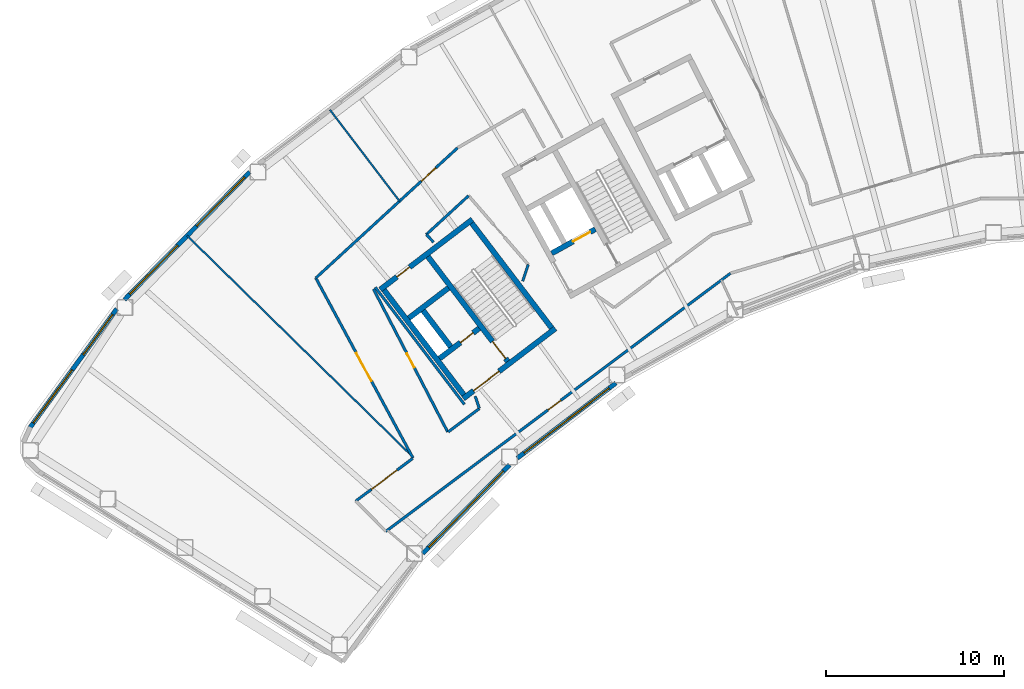
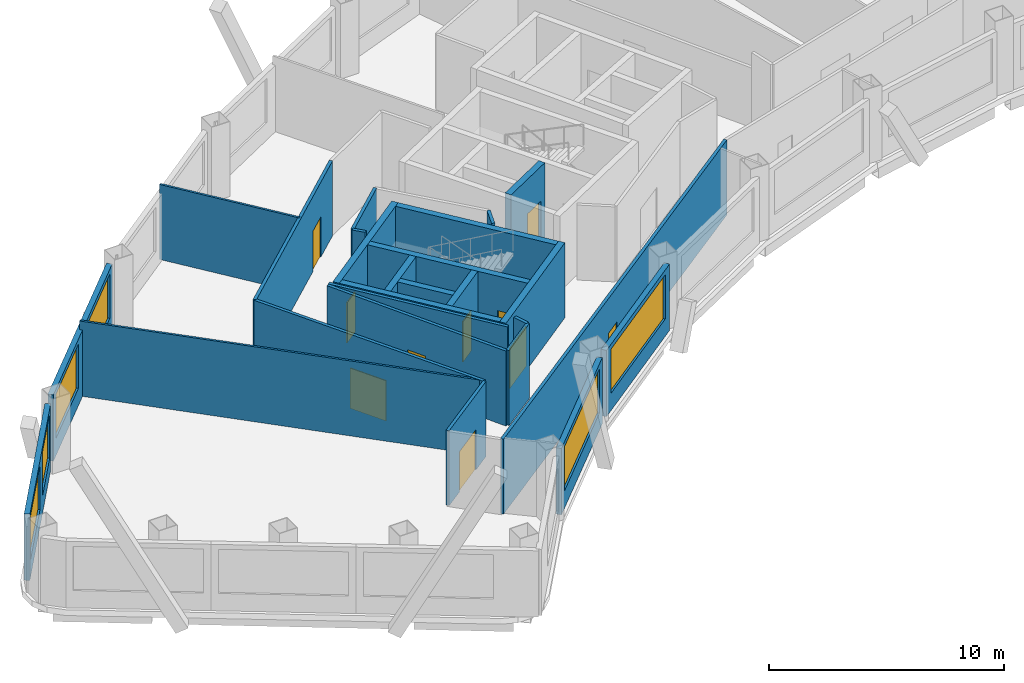
# One storey, part 5 of 13: 26 walls, 10 doors, 6 windows, 16 openings.
"""IFC4 building model written with IfcOpenShell, lengths in metres."""

from ifc_helpers import new_model, si_unit, direction, frame, frame_2d, origin, place, context, subcontext, project, spatial, rectangle, extrude, material, layer, layer_set, type_object, element, fill, save


model = new_model("IFC4")

# Units and contexts
model_context = context("Model", 3, precision=1e-05, world=origin(), true_north=direction((0.0, 1.0)))
body_context = subcontext(model_context, "Body", "Model", "MODEL_VIEW")
ifc_project = project(units=[si_unit("LENGTHUNIT", "METRE"), si_unit("AREAUNIT", "SQUARE_METRE"), si_unit("VOLUMEUNIT", "CUBIC_METRE"), si_unit("PLANEANGLEUNIT", "RADIAN"), si_unit("MASSUNIT", "GRAM", prefix="KILO")], contexts=[model_context])

# Site, building, storey
site_placement = place(None, origin())
site = spatial("IfcSite", under=ifc_project, at=site_placement, CompositionType="ELEMENT")
building_placement = place(site_placement, origin())
building = spatial("IfcBuilding", under=site, at=building_placement, Name="Tuul Gate Civic Tower", CompositionType="ELEMENT")
storey_placement = place(building_placement, frame((0.0, 0.0, 180.5)))
storey = spatial("IfcBuildingStorey", under=building, at=storey_placement, Name="Level 41", CompositionType="ELEMENT", Elevation=180.5)

# Wall, opening, door
ifc_material_1 = material(Name="Concrete C50/60", Category="concrete")
ifc_layer_1 = layer(ifc_material_1, 0.300048828125)
ifc_layer_set_1 = layer_set([ifc_layer_1], Name="Concrete C50/60")
wall_type_1 = type_object("IfcWallType", Name="Core wall C50/60", PredefinedType="SHEAR", material=ifc_layer_set_1)
wall_1_placement = place(storey_placement, frame((-31.19091796875, -13.669677734375, 0.0), z_axis=(0.0, 0.0, 1.0), x_axis=(-0.795606717756, -0.605813461934, 0.0)))
wall_1 = element("IfcWall", 1, at=wall_1_placement, inside=storey, type_object=wall_type_1, Name="Core wall", PredefinedType="SHEAR", context=body_context, shape_type="SweptSolid", body=[
    extrude(rectangle(XDim=6.5, YDim=0.300048828125, at=frame_2d((3.25, 0.0))), origin(), (0.0, 0.0, 1.0), 3.89990234375),
])
opening_1_placement = place(wall_1_placement, frame((3.97509765625, 0.0, 0.0)))
opening_1 = element("IfcOpeningElement", 2, at=opening_1_placement, cuts=wall_1, Name="Opening LB-W1-LOBBY-1", PredefinedType="OPENING", context=body_context, shape_type="SweptSolid", body=[
    extrude(rectangle(XDim=1.800048828125, YDim=2.10009765625, at=frame_2d((0.89990234375, 1.050048828125))), frame((0.0, 0.16015625, 0.0), z_axis=(0.0, -1.0, 0.0), x_axis=(1.0, 0.0, 0.0)), (0.0, 0.0, 1.0), 0.320068359375),
])
ifc_material_2 = material(Name="Steel", Category="steel")
door_type_1 = type_object("IfcDoorType", Name="Lobby door", OperationType="DOUBLE_DOOR_SINGLE_SWING", PredefinedType="DOOR", material=ifc_material_2)
door_1_placement = place(opening_1_placement, origin())
door_1 = element("IfcDoor", 3, at=door_1_placement, inside=storey, type_object=door_type_1, Name="Lobby door W1-LOBBY", OperationType="DOUBLE_DOOR_SINGLE_SWING", OverallHeight=2.10009765625, OverallWidth=1.800048828125, PredefinedType="DOOR", context=body_context, shape_type="SweptSolid", body=[
    extrude(rectangle(XDim=1.800048828125, YDim=2.10009765625, at=frame_2d((0.89990234375, 1.050048828125))), frame((0.0, 0.02490234375, 0.0), z_axis=(0.0, -1.0, 0.0), x_axis=(1.0, 0.0, 0.0)), (0.0, 0.0, 1.0), 0.050048828125),
])
fill(opening_1, door_1)

wall_2_placement = place(storey_placement, frame((-35.470947265625, -13.66064453125, 0.0), z_axis=(0.0, 0.0, 1.0), x_axis=(-0.795615822227, -0.605801504968, 0.0)))
wall_2 = element("IfcWall", 4, at=wall_2_placement, inside=storey, type_object=wall_type_1, Name="Core wall", PredefinedType="SHEAR", context=body_context, shape_type="SweptSolid", body=[
    extrude(rectangle(XDim=2.800048828125, YDim=0.300048828125, at=frame_2d((1.39990234375, 0.0))), origin(), (0.0, 0.0, 1.0), 3.89990234375),
])
opening_2_placement = place(wall_2_placement, frame((0.425048828125, 0.0, 0.0)))
opening_2 = element("IfcOpeningElement", 5, at=opening_2_placement, cuts=wall_2, Name="Opening FB-W1A1", PredefinedType="OPENING", context=body_context, shape_type="SweptSolid", body=[
    extrude(rectangle(XDim=0.89990234375, YDim=2.10009765625, at=frame_2d((0.449951171875, 1.050048828125))), frame((0.0, 0.16015625, 0.0), z_axis=(0.0, -1.0, 0.0), x_axis=(1.0, 0.0, 0.0)), (0.0, 0.0, 1.0), 0.320068359375),
])
ifc_material_3 = material(Name="Steel", Category="steel")
door_type_2 = type_object("IfcDoorType", Name="Store door", OperationType="NOTDEFINED", PredefinedType="DOOR", material=ifc_material_3)
door_2_placement = place(opening_2_placement, origin())
door_2 = element("IfcDoor", 6, at=door_2_placement, inside=storey, type_object=door_type_2, Name="Store door W1A1", OperationType="SINGLE_SWING_LEFT", OverallHeight=2.10009765625, OverallWidth=0.89990234375, PredefinedType="DOOR", context=body_context, shape_type="SweptSolid", body=[
    extrude(rectangle(XDim=0.89990234375, YDim=2.10009765625, at=frame_2d((0.449951171875, 1.050048828125))), frame((0.0, 0.02490234375, 0.0), z_axis=(0.0, -1.0, 0.0), x_axis=(1.0, 0.0, 0.0)), (0.0, 0.0, 1.0), 0.050048828125),
])
fill(opening_2, door_2)

# Wall
wall_3_placement = place(storey_placement, frame((-37.197509765625, -11.39306640625, 0.0), z_axis=(0.0, 0.0, 1.0), x_axis=(-0.795583820278, -0.605843531707, 0.0)))
element("IfcWall", 7, at=wall_3_placement, inside=storey, type_object=wall_type_1, Name="Core wall", PredefinedType="SHEAR", context=body_context, shape_type="SweptSolid", body=[
    extrude(rectangle(XDim=2.7998046875, YDim=0.300048828125, at=frame_2d((1.39990234375, 0.0))), origin(), (0.0, 0.0, 1.0), 3.89990234375),
])

# Wall, opening, door
wall_4_placement = place(storey_placement, frame((-35.855224609375, -7.543212890625, 0.0), z_axis=(0.0, 0.0, 1.0), x_axis=(-0.79563860527, -0.605771582202, 0.0)))
wall_4 = element("IfcWall", 8, at=wall_4_placement, inside=storey, type_object=wall_type_1, Name="Core wall", PredefinedType="SHEAR", context=body_context, shape_type="SweptSolid", body=[
    extrude(rectangle(XDim=6.5, YDim=0.300048828125, at=frame_2d((3.25, 0.0))), origin(), (0.0, 0.0, 1.0), 3.89990234375),
])
opening_3_placement = place(wall_4_placement, frame((4.425048828125, 0.0, 0.0)))
opening_3 = element("IfcOpeningElement", 9, at=opening_3_placement, cuts=wall_4, Name="Opening O-D25", PredefinedType="OPENING", context=body_context, shape_type="SweptSolid", body=[
    extrude(rectangle(XDim=0.89990234375, YDim=2.10009765625, at=frame_2d((0.449951171875, 1.050048828125))), frame((0.0, 0.16015625, 0.0), z_axis=(0.0, -1.0, 0.0), x_axis=(1.0, 0.0, 0.0)), (0.0, 0.0, 1.0), 0.320068359375),
])
ifc_material_4 = material(Name="Timber door leaf", Category="wood")
door_type_3 = type_object("IfcDoorType", Name="Door D09", OperationType="NOTDEFINED", PredefinedType="DOOR", material=ifc_material_4)
door_3_placement = place(opening_3_placement, origin())
door_3 = element("IfcDoor", 10, at=door_3_placement, inside=storey, type_object=door_type_3, Name="Door O-D25", OperationType="SINGLE_SWING_RIGHT", OverallHeight=2.10009765625, OverallWidth=0.89990234375, PredefinedType="DOOR", context=body_context, shape_type="SweptSolid", body=[
    extrude(rectangle(XDim=0.89990234375, YDim=2.10009765625, at=frame_2d((0.449951171875, 1.050048828125))), frame((0.0, 0.02490234375, 0.0), z_axis=(0.0, -1.0, 0.0), x_axis=(1.0, 0.0, 0.0)), (0.0, 0.0, 1.0), 0.050048828125),
])
fill(opening_3, door_3)

# Wall
wall_5_placement = place(storey_placement, frame((-31.401123046875, -13.64111328125, 0.0), z_axis=(0.0, 0.0, 1.0), x_axis=(-0.605769822278, 0.795639945213, 0.0)))
element("IfcWall", 11, at=wall_5_placement, inside=storey, type_object=wall_type_1, Name="Core wall", PredefinedType="SHEAR", context=body_context, shape_type="SweptSolid", body=[
    extrude(rectangle(XDim=7.39990234375, YDim=0.300048828125, at=frame_2d((3.699951171875, 0.0))), origin(), (0.0, 0.0, 1.0), 3.89990234375),
])

# Wall, opening, door
wall_6_placement = place(storey_placement, frame((-33.867431640625, -15.51904296875, 0.0), z_axis=(0.0, 0.0, 1.0), x_axis=(-0.605769822278, 0.795639945213, 0.0)))
wall_6 = element("IfcWall", 12, at=wall_6_placement, inside=storey, type_object=wall_type_1, Name="Core wall", PredefinedType="SHEAR", context=body_context, shape_type="SweptSolid", body=[
    extrude(rectangle(XDim=7.39990234375, YDim=0.300048828125, at=frame_2d((3.699951171875, 0.0))), origin(), (0.0, 0.0, 1.0), 3.89990234375),
])
opening_4_placement = place(wall_6_placement, frame((0.199951171875, 0.0, 0.0)))
opening_4 = element("IfcOpeningElement", 13, at=opening_4_placement, cuts=wall_6, Name="Opening SD-ST-1", PredefinedType="OPENING", context=body_context, shape_type="SweptSolid", body=[
    extrude(rectangle(XDim=1.199951171875, YDim=2.10009765625, at=frame_2d((0.60009765625, 1.050048828125))), frame((0.0, 0.16015625, 0.0), z_axis=(0.0, -1.0, 0.0), x_axis=(1.0, 0.0, 0.0)), (0.0, 0.0, 1.0), 0.320068359375),
])
ifc_material_5 = material(Name="Steel", Category="steel")
door_type_4 = type_object("IfcDoorType", Name="Stair door", OperationType="NOTDEFINED", PredefinedType="DOOR", material=ifc_material_5)
door_4_placement = place(opening_4_placement, origin())
door_4 = element("IfcDoor", 14, at=door_4_placement, inside=storey, type_object=door_type_4, Name="Stair door ST-1", OperationType="SINGLE_SWING_LEFT", OverallHeight=2.10009765625, OverallWidth=1.199951171875, PredefinedType="DOOR", context=body_context, shape_type="SweptSolid", body=[
    extrude(rectangle(XDim=1.199951171875, YDim=2.10009765625, at=frame_2d((0.60009765625, 1.050048828125))), frame((0.0, 0.02490234375, 0.0), z_axis=(0.0, -1.0, 0.0), x_axis=(1.0, 0.0, 0.0)), (0.0, 0.0, 1.0), 0.050048828125),
])
fill(opening_4, door_4)

# Walls
wall_7_placement = place(storey_placement, frame((-37.073486328125, -14.6923828125, 0.0), z_axis=(0.0, 0.0, 1.0), x_axis=(-0.605728760074, 0.79567120673, 0.0)))
element("IfcWall", 15, at=wall_7_placement, inside=storey, type_object=wall_type_1, Name="Core wall", PredefinedType="SHEAR", context=body_context, shape_type="SweptSolid", body=[
    extrude(rectangle(XDim=2.550048828125, YDim=0.300048828125, at=frame_2d((1.27490234375, 0.0))), origin(), (0.0, 0.0, 1.0), 3.89990234375),
])
wall_8_placement = place(storey_placement, frame((-36.333984375, -17.397216796875, 0.0), z_axis=(0.0, 0.0, 1.0), x_axis=(-0.605753921168, 0.795652051458, 0.0)))
element("IfcWall", 16, at=wall_8_placement, inside=storey, type_object=wall_type_1, Name="Core wall", PredefinedType="SHEAR", context=body_context, shape_type="SweptSolid", body=[
    extrude(rectangle(XDim=7.400146484375, YDim=0.300048828125, at=frame_2d((3.7001953125, 0.0))), origin(), (0.0, 0.0, 1.0), 3.89990234375),
])

# Wall, opening, door
wall_9_placement = place(storey_placement, frame((-28.94580078125, -8.090087890625, 0.0), z_axis=(0.0, 0.0, 1.0), x_axis=(-0.874629840737, -0.484791338301, 0.0)))
wall_9 = element("IfcWall", 17, at=wall_9_placement, inside=storey, type_object=wall_type_1, Name="Core wall", PredefinedType="SHEAR", context=body_context, shape_type="SweptSolid", body=[
    extrude(rectangle(XDim=2.800048828125, YDim=0.300048828125, at=frame_2d((1.39990234375, 0.0))), origin(), (0.0, 0.0, 1.0), 3.89990234375),
])
opening_5_placement = place(wall_9_placement, frame((0.324951171875, 0.0, 0.0)))
opening_5 = element("IfcOpeningElement", 18, at=opening_5_placement, cuts=wall_9, Name="Opening LD-FF-1", PredefinedType="OPENING", context=body_context, shape_type="SweptSolid", body=[
    extrude(rectangle(XDim=1.10009765625, YDim=2.10009765625, at=frame_2d((0.550048828125, 1.050048828125))), frame((0.0, 0.16015625, 0.0), z_axis=(0.0, -1.0, 0.0), x_axis=(1.0, 0.0, 0.0)), (0.0, 0.0, 1.0), 0.320068359375),
])
ifc_material_6 = material(Name="Stainless steel", Category="steel")
door_type_5 = type_object("IfcDoorType", Name="Landing door", OperationType="DOUBLE_DOOR_SLIDING", PredefinedType="DOOR", material=ifc_material_6)
door_5_placement = place(opening_5_placement, origin())
door_5 = element("IfcDoor", 19, at=door_5_placement, inside=storey, type_object=door_type_5, Name="Fire-fighting lift FF-1 landing door", OperationType="DOUBLE_DOOR_SLIDING", OverallHeight=2.10009765625, OverallWidth=1.10009765625, PredefinedType="DOOR", context=body_context, shape_type="SweptSolid", body=[
    extrude(rectangle(XDim=1.10009765625, YDim=2.10009765625, at=frame_2d((0.550048828125, 1.050048828125))), frame((0.0, 0.02490234375, 0.0), z_axis=(0.0, -1.0, 0.0), x_axis=(1.0, 0.0, 0.0)), (0.0, 0.0, 1.0), 0.050048828125),
])
fill(opening_5, door_5)

ifc_material_7 = material(Name="Gypsum board partition")
ifc_layer_2 = layer(ifc_material_7, 0.14990234375)
ifc_layer_set_2 = layer_set([ifc_layer_2], Name="Gypsum board partition")
wall_type_2 = type_object("IfcWallType", Name="Corridor wall P150", PredefinedType="PARTITIONING", material=ifc_layer_set_2)
wall_10_placement = place(storey_placement, frame((-42.40576171875, -23.3671875, 0.0), z_axis=(0.0, 0.0, 1.0), x_axis=(0.800709014442, 0.599053481912, 0.0)))
wall_10 = element("IfcWall", 20, at=wall_10_placement, inside=storey, type_object=wall_type_2, Name="p049", PredefinedType="PARTITIONING", context=body_context, shape_type="SweptSolid", body=[
    extrude(rectangle(XDim=4.0048828125, YDim=0.14990234375, at=frame_2d((2.00244140625, 0.0))), origin(), (0.0, 0.0, 1.0), 3.89990234375),
])
opening_6_placement = place(wall_10_placement, frame((1.1025390625, 0.0, 0.0)))
opening_6 = element("IfcOpeningElement", 21, at=opening_6_placement, cuts=wall_10, Name="Opening O-D18", PredefinedType="OPENING", context=body_context, shape_type="SweptSolid", body=[
    extrude(rectangle(XDim=1.800048828125, YDim=2.10009765625, at=frame_2d((0.89990234375, 1.050048828125))), frame((0.0, 0.0849609375, 0.0), z_axis=(0.0, -1.0, 0.0), x_axis=(1.0, 0.0, 0.0)), (0.0, 0.0, 1.0), 0.169921875),
])
ifc_material_8 = material(Name="Timber door leaf, double", Category="wood")
door_type_6 = type_object("IfcDoorType", Name="Door D18", OperationType="DOUBLE_DOOR_SINGLE_SWING", PredefinedType="DOOR", material=ifc_material_8)
door_6_placement = place(opening_6_placement, origin())
door_6 = element("IfcDoor", 22, at=door_6_placement, inside=storey, type_object=door_type_6, Name="Door O-D18", OperationType="DOUBLE_DOOR_SINGLE_SWING", OverallHeight=2.10009765625, OverallWidth=1.800048828125, PredefinedType="DOOR", context=body_context, shape_type="SweptSolid", body=[
    extrude(rectangle(XDim=1.800048828125, YDim=2.10009765625, at=frame_2d((0.89990234375, 1.050048828125))), frame((0.0, 0.02490234375, 0.0), z_axis=(0.0, -1.0, 0.0), x_axis=(1.0, 0.0, 0.0)), (0.0, 0.0, 1.0), 0.050048828125),
])
fill(opening_6, door_6)

# Wall
wall_11_placement = place(storey_placement, frame((-37.2138671875, -19.48291015625, 0.0), z_axis=(0.0, 0.0, 1.0), x_axis=(0.800732897989, 0.599021557274, 0.0)))
element("IfcWall", 23, at=wall_11_placement, inside=storey, type_object=wall_type_2, Name="p050", PredefinedType="PARTITIONING", context=body_context, shape_type="SweptSolid", body=[
    extrude(rectangle(XDim=2.19677734375, YDim=0.14990234375, at=frame_2d((1.098388671875, 0.0))), origin(), (0.0, 0.0, 1.0), 3.89990234375),
])

# Wall, opening, door
wall_12_placement = place(storey_placement, frame((-44.6494140625, -10.834228515625, 0.0), z_axis=(0.0, 0.0, 1.0), x_axis=(0.736637538175, 0.676287762237, 0.0)))
wall_12 = element("IfcWall", 24, at=wall_12_placement, inside=storey, type_object=wall_type_2, Name="p056", PredefinedType="PARTITIONING", context=body_context, shape_type="SweptSolid", body=[
    extrude(rectangle(XDim=10.8134765625, YDim=0.14990234375, at=frame_2d((5.40673828125, 0.0))), origin(), (0.0, 0.0, 1.0), 3.89990234375),
])
opening_7_placement = place(wall_12_placement, frame((8.04833984375, 0.0, 0.0)))
opening_7 = element("IfcOpeningElement", 25, at=opening_7_placement, cuts=wall_12, Name="Opening O-D16", PredefinedType="OPENING", context=body_context, shape_type="SweptSolid", body=[
    extrude(rectangle(XDim=1.10009765625, YDim=2.10009765625, at=frame_2d((0.550048828125, 1.050048828125))), frame((0.0, 0.0849609375, 0.0), z_axis=(0.0, -1.0, 0.0), x_axis=(1.0, 0.0, 0.0)), (0.0, 0.0, 1.0), 0.169921875),
])
ifc_material_9 = material(Name="Timber door leaf", Category="wood")
door_type_7 = type_object("IfcDoorType", Name="Door D11", OperationType="NOTDEFINED", PredefinedType="DOOR", material=ifc_material_9)
door_7_placement = place(opening_7_placement, origin())
door_7 = element("IfcDoor", 26, at=door_7_placement, inside=storey, type_object=door_type_7, Name="Door O-D16", OperationType="SINGLE_SWING_RIGHT", OverallHeight=2.10009765625, OverallWidth=1.10009765625, PredefinedType="DOOR", context=body_context, shape_type="SweptSolid", body=[
    extrude(rectangle(XDim=1.10009765625, YDim=2.10009765625, at=frame_2d((0.550048828125, 1.050048828125))), frame((0.0, 0.02490234375, 0.0), z_axis=(0.0, -1.0, 0.0), x_axis=(1.0, 0.0, 0.0)), (0.0, 0.0, 1.0), 0.050048828125),
])
fill(opening_7, door_7)

wall_13_placement = place(storey_placement, frame((-44.649658203125, -10.835205078125, 0.0), z_axis=(0.0, 0.0, 1.0), x_axis=(0.47506006994, -0.879953368054, 0.0)))
wall_13 = element("IfcWall", 27, at=wall_13_placement, inside=storey, type_object=wall_type_2, Name="p058", PredefinedType="PARTITIONING", context=body_context, shape_type="SweptSolid", body=[
    extrude(rectangle(XDim=11.489013671875, YDim=0.14990234375, at=frame_2d((5.74462890625, 0.0))), origin(), (0.0, 0.0, 1.0), 3.89990234375),
])
opening_8_placement = place(wall_13_placement, frame((4.783935546875, 0.0, 0.0)))
opening_8 = element("IfcOpeningElement", 28, at=opening_8_placement, cuts=wall_13, Name="Opening O-D17", PredefinedType="OPENING", context=body_context, shape_type="SweptSolid", body=[
    extrude(rectangle(XDim=1.800048828125, YDim=2.10009765625, at=frame_2d((0.89990234375, 1.050048828125))), frame((0.0, 0.0849609375, 0.0), z_axis=(0.0, -1.0, 0.0), x_axis=(1.0, 0.0, 0.0)), (0.0, 0.0, 1.0), 0.169921875),
])
door_8_placement = place(opening_8_placement, frame((1.800048828125, 0.0, 0.0), z_axis=(0.0, 0.0, 1.0), x_axis=(-1.0, 0.0, 0.0)))
door_8 = element("IfcDoor", 29, at=door_8_placement, inside=storey, type_object=door_type_6, Name="Door O-D17", OperationType="DOUBLE_DOOR_SINGLE_SWING", OverallHeight=2.10009765625, OverallWidth=1.800048828125, PredefinedType="DOOR", context=body_context, shape_type="SweptSolid", body=[
    extrude(rectangle(XDim=1.800048828125, YDim=2.10009765625, at=frame_2d((0.900146484375, 1.050048828125))), frame((0.0, 0.02490234375, 0.0), z_axis=(0.0, -1.0, 0.0), x_axis=(1.0, 0.0, 0.0)), (0.0, 0.0, 1.0), 0.050048828125),
])
fill(opening_8, door_8)

wall_14_placement = place(storey_placement, frame((-40.71044921875, -25.06787109375, 0.0), z_axis=(0.0, 0.0, 1.0), x_axis=(0.800397176277, 0.599470066148, 0.0)))
wall_14 = element("IfcWall", 30, at=wall_14_placement, inside=storey, type_object=wall_type_2, Name="p061", PredefinedType="PARTITIONING", context=body_context, shape_type="SweptSolid", body=[
    extrude(rectangle(XDim=24.18359375, YDim=0.14990234375, at=frame_2d((12.091796875, 0.0))), origin(), (0.0, 0.0, 1.0), 3.89990234375),
])
opening_9_placement = place(wall_14_placement, frame((11.374755859375, 0.0, 0.0)))
opening_9 = element("IfcOpeningElement", 31, at=opening_9_placement, cuts=wall_14, Name="Opening O-D21", PredefinedType="OPENING", context=body_context, shape_type="SweptSolid", body=[
    extrude(rectangle(XDim=0.89990234375, YDim=2.10009765625, at=frame_2d((0.449951171875, 1.050048828125))), frame((0.0, 0.0849609375, 0.0), z_axis=(0.0, -1.0, 0.0), x_axis=(1.0, 0.0, 0.0)), (0.0, 0.0, 1.0), 0.169921875),
])
door_9_placement = place(opening_9_placement, frame((0.89990234375, 0.0, 0.0), z_axis=(0.0, 0.0, 1.0), x_axis=(-1.0, 0.0, 0.0)))
door_9 = element("IfcDoor", 32, at=door_9_placement, inside=storey, type_object=door_type_3, Name="Door O-D21", OperationType="SINGLE_SWING_LEFT", OverallHeight=2.10009765625, OverallWidth=0.89990234375, PredefinedType="DOOR", context=body_context, shape_type="SweptSolid", body=[
    extrude(rectangle(XDim=0.89990234375, YDim=2.10009765625, at=frame_2d((0.449951171875, 1.050048828125))), frame((0.0, 0.02490234375, 0.0), z_axis=(0.0, -1.0, 0.0), x_axis=(1.0, 0.0, 0.0)), (0.0, 0.0, 1.0), 0.050048828125),
])
fill(opening_9, door_9)

# Walls
wall_15_placement = place(storey_placement, frame((-33.025390625, -11.012451171875, 0.0), z_axis=(0.0, 0.0, 1.0), x_axis=(0.315856146292, 0.94880709043, 0.0)))
element("IfcWall", 33, at=wall_15_placement, inside=storey, type_object=wall_type_2, Name="p068", PredefinedType="PARTITIONING", context=body_context, shape_type="SweptSolid", body=[
    extrude(rectangle(XDim=0.985595703125, YDim=0.14990234375, at=frame_2d((0.49267578125, 0.0))), origin(), (0.0, 0.0, 1.0), 3.89990234375),
])
wall_16_placement = place(storey_placement, frame((-38.436279296875, -8.38818359375, 0.0), z_axis=(0.0, 0.0, 1.0), x_axis=(0.676468695749, -0.736471386866, 0.0)))
element("IfcWall", 34, at=wall_16_placement, inside=storey, type_object=wall_type_2, Name="p069", PredefinedType="PARTITIONING", context=body_context, shape_type="SweptSolid", body=[
    extrude(rectangle(XDim=0.593994140625, YDim=0.14990234375, at=frame_2d((0.296875, 0.0))), origin(), (0.0, 0.0, 1.0), 3.89990234375),
])
wall_17_placement = place(storey_placement, frame((-38.436279296875, -8.38818359375, 0.0), z_axis=(0.0, 0.0, 1.0), x_axis=(0.736637797487, 0.676287479784, 0.0)))
element("IfcWall", 35, at=wall_17_placement, inside=storey, type_object=wall_type_2, Name="p070", PredefinedType="PARTITIONING", context=body_context, shape_type="SweptSolid", body=[
    extrude(rectangle(XDim=3.22021484375, YDim=0.14990234375, at=frame_2d((1.610107421875, 0.0))), origin(), (0.0, 0.0, 1.0), 3.89990234375),
])
wall_18_placement = place(storey_placement, frame((-35.696044921875, -17.4775390625, 0.0), z_axis=(0.0, 0.0, 1.0), x_axis=(0.324534368994, -0.945873904567, 0.0)))
element("IfcWall", 36, at=wall_18_placement, inside=storey, type_object=wall_type_2, Name="p071", PredefinedType="PARTITIONING", context=body_context, shape_type="SweptSolid", body=[
    extrude(rectangle(XDim=0.713134765625, YDim=0.14990234375, at=frame_2d((0.3564453125, 0.0))), origin(), (0.0, 0.0, 1.0), 3.89990234375),
])

# Wall, opening, door
wall_19_placement = place(storey_placement, frame((-41.40966796875, -11.457275390625, 0.0), z_axis=(0.0, 0.0, 1.0), x_axis=(0.461055857923, -0.887371115078, 0.0)))
wall_19 = element("IfcWall", 37, at=wall_19_placement, inside=storey, type_object=wall_type_2, Name="p072", PredefinedType="PARTITIONING", context=body_context, shape_type="SweptSolid", body=[
    extrude(rectangle(XDim=9.037353515625, YDim=0.14990234375, at=frame_2d((4.5185546875, 0.0))), origin(), (0.0, 0.0, 1.0), 3.89990234375),
])
opening_10_placement = place(wall_19_placement, frame((4.06884765625, 0.0, 0.0)))
opening_10 = element("IfcOpeningElement", 38, at=opening_10_placement, cuts=wall_19, Name="Opening O-D23", PredefinedType="OPENING", context=body_context, shape_type="SweptSolid", body=[
    extrude(rectangle(XDim=0.89990234375, YDim=2.10009765625, at=frame_2d((0.449951171875, 1.050048828125))), frame((0.0, 0.0849609375, 0.0), z_axis=(0.0, -1.0, 0.0), x_axis=(1.0, 0.0, 0.0)), (0.0, 0.0, 1.0), 0.169921875),
])
door_10_placement = place(opening_10_placement, frame((0.89990234375, 0.0, 0.0), z_axis=(0.0, 0.0, 1.0), x_axis=(-1.0, 0.0, 0.0)))
door_10 = element("IfcDoor", 39, at=door_10_placement, inside=storey, type_object=door_type_3, Name="Door O-D23", OperationType="SINGLE_SWING_LEFT", OverallHeight=2.10009765625, OverallWidth=0.89990234375, PredefinedType="DOOR", context=body_context, shape_type="SweptSolid", body=[
    extrude(rectangle(XDim=0.89990234375, YDim=2.10009765625, at=frame_2d((0.449951171875, 1.050048828125))), frame((0.0, 0.02490234375, 0.0), z_axis=(0.0, -1.0, 0.0), x_axis=(1.0, 0.0, 0.0)), (0.0, 0.0, 1.0), 0.050048828125),
])
fill(opening_10, door_10)

# Wall
wall_20_placement = place(storey_placement, frame((-41.31005859375, -11.357421875, 0.0), z_axis=(0.0, 0.0, 1.0), x_axis=(0.605761214883, -0.79564649848, 0.0)))
element("IfcWall", 40, at=wall_20_placement, inside=storey, type_object=wall_type_2, Name="p073", PredefinedType="PARTITIONING", context=body_context, shape_type="SweptSolid", body=[
    extrude(rectangle(XDim=8.269775390625, YDim=0.14990234375, at=frame_2d((4.134765625, 0.0))), origin(), (0.0, 0.0, 1.0), 3.89990234375),
])

# Wall, openings, windows
ifc_material_10 = material(Name="Precast concrete C40/50", Category="concrete")
ifc_layer_3 = layer(ifc_material_10, 0.25)
ifc_layer_set_3 = layer_set([ifc_layer_3], Name="Precast concrete C40/50")
wall_type_3 = type_object("IfcWallType", Name="External wall", PredefinedType="STANDARD", material=ifc_layer_set_3)
wall_21_placement = place(storey_placement, frame((-48.35791015625, -4.87060546875, 0.0), z_axis=(0.0, 0.0, 1.0), x_axis=(-0.700041790386, -0.714101877685, 0.0)))
wall_21 = element("IfcWall", 41, at=wall_21_placement, inside=storey, type_object=wall_type_3, Name="External wall", PredefinedType="STANDARD", context=body_context, shape_type="SweptSolid", body=[
    extrude(rectangle(XDim=10.0537109375, YDim=0.25, at=frame_2d((5.02685546875, 0.0))), origin(), (0.0, 0.0, 1.0), 3.449951171875),
])
opening_11_placement = place(wall_21_placement, frame((0.416015625, 0.0, 0.89990234375)))
opening_11 = element("IfcOpeningElement", 42, at=opening_11_placement, cuts=wall_21, Name="Opening W22", PredefinedType="OPENING", context=body_context, shape_type="SweptSolid", body=[
    extrude(rectangle(XDim=3.85009765625, YDim=2.300048828125, at=frame_2d((1.925048828125, 1.14990234375))), frame((0.0, 0.135009765625, 0.0), z_axis=(0.0, -1.0, 0.0), x_axis=(1.0, 0.0, 0.0)), (0.0, 0.0, 1.0), 0.27001953125),
])
opening_12_placement = place(wall_21_placement, frame((5.787109375, 0.0, 0.89990234375)))
opening_12 = element("IfcOpeningElement", 43, at=opening_12_placement, cuts=wall_21, Name="Opening W22", PredefinedType="OPENING", context=body_context, shape_type="SweptSolid", body=[
    extrude(rectangle(XDim=3.85009765625, YDim=2.300048828125, at=frame_2d((1.925048828125, 1.14990234375))), frame((0.0, 0.135009765625, 0.0), z_axis=(0.0, -1.0, 0.0), x_axis=(1.0, 0.0, 0.0)), (0.0, 0.0, 1.0), 0.27001953125),
])
ifc_material_11 = material(Name="Glass", Category="glass")
window_type_1 = type_object("IfcWindowType", Name="Window W22 3850 x 2300", PartitioningType="SINGLE_PANEL", PredefinedType="WINDOW", material=ifc_material_11)
window_1_placement = place(opening_11_placement, origin())
window_1 = element("IfcWindow", 44, at=window_1_placement, inside=storey, type_object=window_type_1, Name="Window", OverallHeight=2.300048828125, OverallWidth=3.85009765625, PartitioningType="SINGLE_PANEL", PredefinedType="WINDOW", context=body_context, shape_type="SweptSolid", body=[
    extrude(rectangle(XDim=3.85009765625, YDim=2.300048828125, at=frame_2d((1.925048828125, 1.14990234375))), frame((0.0, 0.030029296875, 0.0), z_axis=(0.0, -1.0, 0.0), x_axis=(1.0, 0.0, 0.0)), (0.0, 0.0, 1.0), 0.06005859375),
])
fill(opening_11, window_1)
window_2_placement = place(opening_12_placement, origin())
window_2 = element("IfcWindow", 45, at=window_2_placement, inside=storey, type_object=window_type_1, Name="Window", OverallHeight=2.300048828125, OverallWidth=3.85009765625, PartitioningType="SINGLE_PANEL", PredefinedType="WINDOW", context=body_context, shape_type="SweptSolid", body=[
    extrude(rectangle(XDim=3.85009765625, YDim=2.300048828125, at=frame_2d((1.925048828125, 1.14990234375))), frame((0.0, 0.030029296875, 0.0), z_axis=(0.0, -1.0, 0.0), x_axis=(1.0, 0.0, 0.0)), (0.0, 0.0, 1.0), 0.06005859375),
])
fill(opening_12, window_2)

wall_22_placement = place(storey_placement, frame((-55.83203125, -12.565185546875, 0.0), z_axis=(0.0, 0.0, 1.0), x_axis=(-0.589755466838, -0.80758187779, 0.0)))
wall_22 = element("IfcWall", 46, at=wall_22_placement, inside=storey, type_object=wall_type_3, Name="External wall", PredefinedType="STANDARD", context=body_context, shape_type="SweptSolid", body=[
    extrude(rectangle(XDim=8.25244140625, YDim=0.25, at=frame_2d((4.126220703125, 0.0))), origin(), (0.0, 0.0, 1.0), 3.449951171875),
])
opening_13_placement = place(wall_22_placement, frame((0.39990234375, 0.0, 0.89990234375)))
opening_13 = element("IfcOpeningElement", 47, at=opening_13_placement, cuts=wall_22, Name="Opening W23", PredefinedType="OPENING", context=body_context, shape_type="SweptSolid", body=[
    extrude(rectangle(XDim=2.800048828125, YDim=2.300048828125, at=frame_2d((1.39990234375, 1.14990234375))), frame((0.0, 0.135009765625, 0.0), z_axis=(0.0, -1.0, 0.0), x_axis=(1.0, 0.0, 0.0)), (0.0, 0.0, 1.0), 0.27001953125),
])
opening_14_placement = place(wall_22_placement, frame((4.251708984375, 0.0, 0.89990234375)))
opening_14 = element("IfcOpeningElement", 48, at=opening_14_placement, cuts=wall_22, Name="Opening W21", PredefinedType="OPENING", context=body_context, shape_type="SweptSolid", body=[
    extrude(rectangle(XDim=3.699951171875, YDim=2.300048828125, at=frame_2d((1.85009765625, 1.14990234375))), frame((0.0, 0.135009765625, 0.0), z_axis=(0.0, -1.0, 0.0), x_axis=(1.0, 0.0, 0.0)), (0.0, 0.0, 1.0), 0.27001953125),
])
ifc_material_12 = material(Name="Glass", Category="glass")
window_type_2 = type_object("IfcWindowType", Name="Window W21 3700 x 2300", PartitioningType="SINGLE_PANEL", PredefinedType="WINDOW", material=ifc_material_12)
window_3_placement = place(opening_14_placement, origin())
window_3 = element("IfcWindow", 49, at=window_3_placement, inside=storey, type_object=window_type_2, Name="Window", OverallHeight=2.300048828125, OverallWidth=3.699951171875, PartitioningType="SINGLE_PANEL", PredefinedType="WINDOW", context=body_context, shape_type="SweptSolid", body=[
    extrude(rectangle(XDim=3.699951171875, YDim=2.300048828125, at=frame_2d((1.85009765625, 1.14990234375))), frame((0.0, 0.030029296875, 0.0), z_axis=(0.0, -1.0, 0.0), x_axis=(1.0, 0.0, 0.0)), (0.0, 0.0, 1.0), 0.06005859375),
])
fill(opening_14, window_3)
ifc_material_13 = material(Name="Glass", Category="glass")
window_type_3 = type_object("IfcWindowType", Name="Window W23 2800 x 2300", PartitioningType="SINGLE_PANEL", PredefinedType="WINDOW", material=ifc_material_13)
window_4_placement = place(opening_13_placement, origin())
window_4 = element("IfcWindow", 50, at=window_4_placement, inside=storey, type_object=window_type_3, Name="Window", OverallHeight=2.300048828125, OverallWidth=2.800048828125, PartitioningType="SINGLE_PANEL", PredefinedType="WINDOW", context=body_context, shape_type="SweptSolid", body=[
    extrude(rectangle(XDim=2.800048828125, YDim=2.300048828125, at=frame_2d((1.39990234375, 1.14990234375))), frame((0.0, 0.030029296875, 0.0), z_axis=(0.0, -1.0, 0.0), x_axis=(1.0, 0.0, 0.0)), (0.0, 0.0, 1.0), 0.06005859375),
])
fill(opening_13, window_4)

# Wall, opening, window
wall_23_placement = place(storey_placement, frame((-38.64111328125, -26.313232421875, 0.0), z_axis=(0.0, 0.0, 1.0), x_axis=(0.700101181113, 0.71404365147, 0.0)))
wall_23 = element("IfcWall", 51, at=wall_23_placement, inside=storey, type_object=wall_type_3, Name="External wall", PredefinedType="STANDARD", context=body_context, shape_type="SweptSolid", body=[
    extrude(rectangle(XDim=6.96923828125, YDim=0.25, at=frame_2d((3.484619140625, 0.0))), origin(), (0.0, 0.0, 1.0), 3.449951171875),
])
opening_15_placement = place(wall_23_placement, frame((0.484130859375, 0.0, 0.89990234375)))
opening_15 = element("IfcOpeningElement", 52, at=opening_15_placement, cuts=wall_23, Name="Opening W26", PredefinedType="OPENING", context=body_context, shape_type="SweptSolid", body=[
    extrude(rectangle(XDim=6.0, YDim=2.300048828125, at=frame_2d((3.0, 1.14990234375))), frame((0.0, 0.135009765625, 0.0), z_axis=(0.0, -1.0, 0.0), x_axis=(1.0, 0.0, 0.0)), (0.0, 0.0, 1.0), 0.27001953125),
])
ifc_material_14 = material(Name="Glass", Category="glass")
window_type_4 = type_object("IfcWindowType", Name="Window W26 6000 x 2300", PartitioningType="SINGLE_PANEL", PredefinedType="WINDOW", material=ifc_material_14)
window_5_placement = place(opening_15_placement, origin())
window_5 = element("IfcWindow", 53, at=window_5_placement, inside=storey, type_object=window_type_4, Name="Window", OverallHeight=2.300048828125, OverallWidth=6.0, PartitioningType="SINGLE_PANEL", PredefinedType="WINDOW", context=body_context, shape_type="SweptSolid", body=[
    extrude(rectangle(XDim=6.0, YDim=2.300048828125, at=frame_2d((3.0, 1.14990234375))), frame((0.0, 0.030029296875, 0.0), z_axis=(0.0, -1.0, 0.0), x_axis=(1.0, 0.0, 0.0)), (0.0, 0.0, 1.0), 0.06005859375),
])
fill(opening_15, window_5)

wall_24_placement = place(storey_placement, frame((-33.326904296875, -20.953857421875, 0.0), z_axis=(0.0, 0.0, 1.0), x_axis=(0.795583108554, 0.605844466331, 0.0)))
wall_24 = element("IfcWall", 54, at=wall_24_placement, inside=storey, type_object=wall_type_3, Name="External wall", PredefinedType="STANDARD", context=body_context, shape_type="SweptSolid", body=[
    extrude(rectangle(XDim=6.95849609375, YDim=0.25, at=frame_2d((3.479248046875, 0.0))), origin(), (0.0, 0.0, 1.0), 3.449951171875),
])
opening_16_placement = place(wall_24_placement, frame((0.478271484375, 0.0, 0.89990234375)))
opening_16 = element("IfcOpeningElement", 55, at=opening_16_placement, cuts=wall_24, Name="Opening W26", PredefinedType="OPENING", context=body_context, shape_type="SweptSolid", body=[
    extrude(rectangle(XDim=6.0, YDim=2.300048828125, at=frame_2d((3.0, 1.14990234375))), frame((0.0, 0.135009765625, 0.0), z_axis=(0.0, -1.0, 0.0), x_axis=(1.0, 0.0, 0.0)), (0.0, 0.0, 1.0), 0.27001953125),
])
window_6_placement = place(opening_16_placement, origin())
window_6 = element("IfcWindow", 56, at=window_6_placement, inside=storey, type_object=window_type_4, Name="Window", OverallHeight=2.300048828125, OverallWidth=6.0, PartitioningType="SINGLE_PANEL", PredefinedType="WINDOW", context=body_context, shape_type="SweptSolid", body=[
    extrude(rectangle(XDim=6.0, YDim=2.300048828125, at=frame_2d((3.0, 1.14990234375))), frame((0.0, 0.030029296875, 0.0), z_axis=(0.0, -1.0, 0.0), x_axis=(1.0, 0.0, 0.0)), (0.0, 0.0, 1.0), 0.06005859375),
])
fill(opening_16, window_6)

# Walls
ifc_material_15 = material(Name="Gypsum board partition")
ifc_layer_4 = layer(ifc_material_15, 0.10009765625)
ifc_layer_set_4 = layer_set([ifc_layer_4], Name="Gypsum board partition")
wall_type_4 = type_object("IfcWallType", Name="Partition P100", PredefinedType="PARTITIONING", material=ifc_layer_set_4)
wall_25_placement = place(storey_placement, frame((-43.85986328125, -1.378662109375, 0.0), z_axis=(0.0, 0.0, 1.0), x_axis=(0.605790349932, -0.795624315823, 0.0)))
element("IfcWall", 57, at=wall_25_placement, inside=storey, type_object=wall_type_4, Name="p053", PredefinedType="PARTITIONING", context=body_context, shape_type="SweptSolid", body=[
    extrude(rectangle(XDim=6.458740234375, YDim=0.10009765625, at=frame_2d((3.2294921875, 0.0))), origin(), (0.0, 0.0, 1.0), 3.89990234375),
])
wall_26_placement = place(storey_placement, frame((-51.880615234375, -8.456787109375, 0.0), z_axis=(0.0, 0.0, 1.0), x_axis=(0.714131690163, -0.700011377839, 0.0)))
element("IfcWall", 58, at=wall_26_placement, inside=storey, type_object=wall_type_4, Name="p057", PredefinedType="PARTITIONING", context=body_context, shape_type="SweptSolid", body=[
    extrude(rectangle(XDim=17.687744140625, YDim=0.10009765625, at=frame_2d((8.84375, 0.0))), origin(), (0.0, 0.0, 1.0), 3.89990234375),
])

save(model, "model.ifc")
